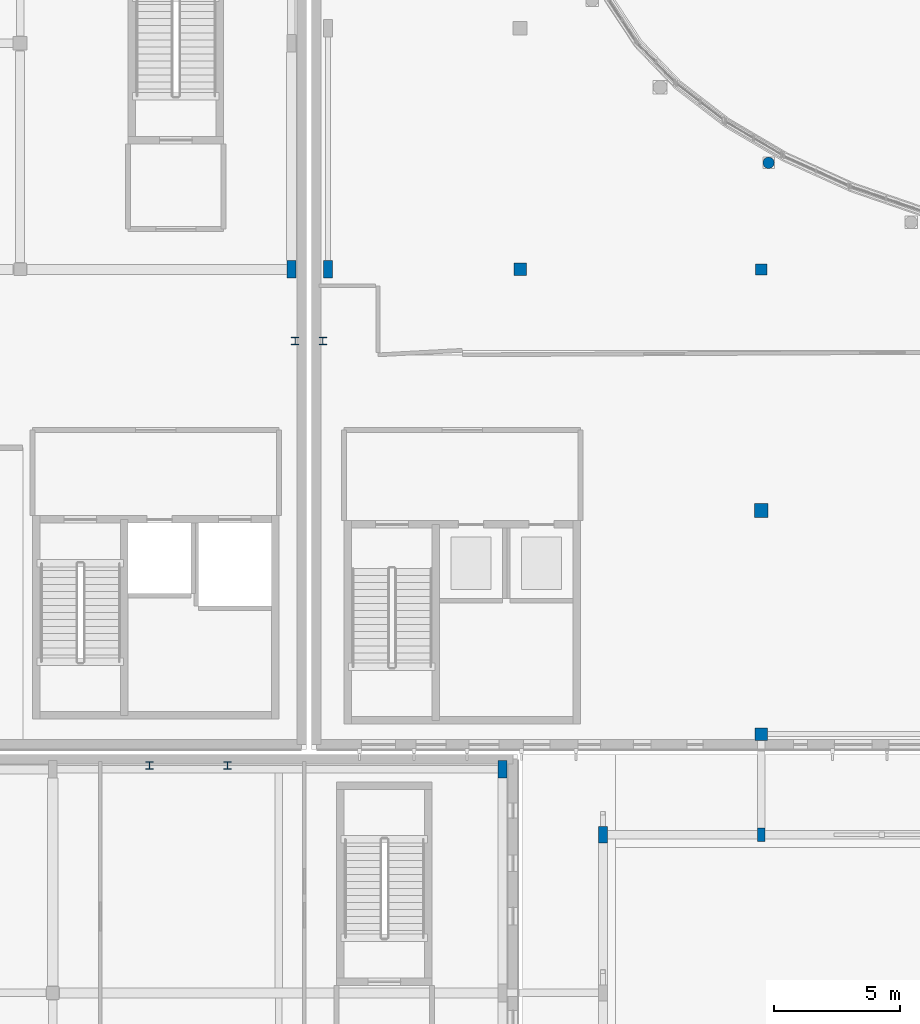
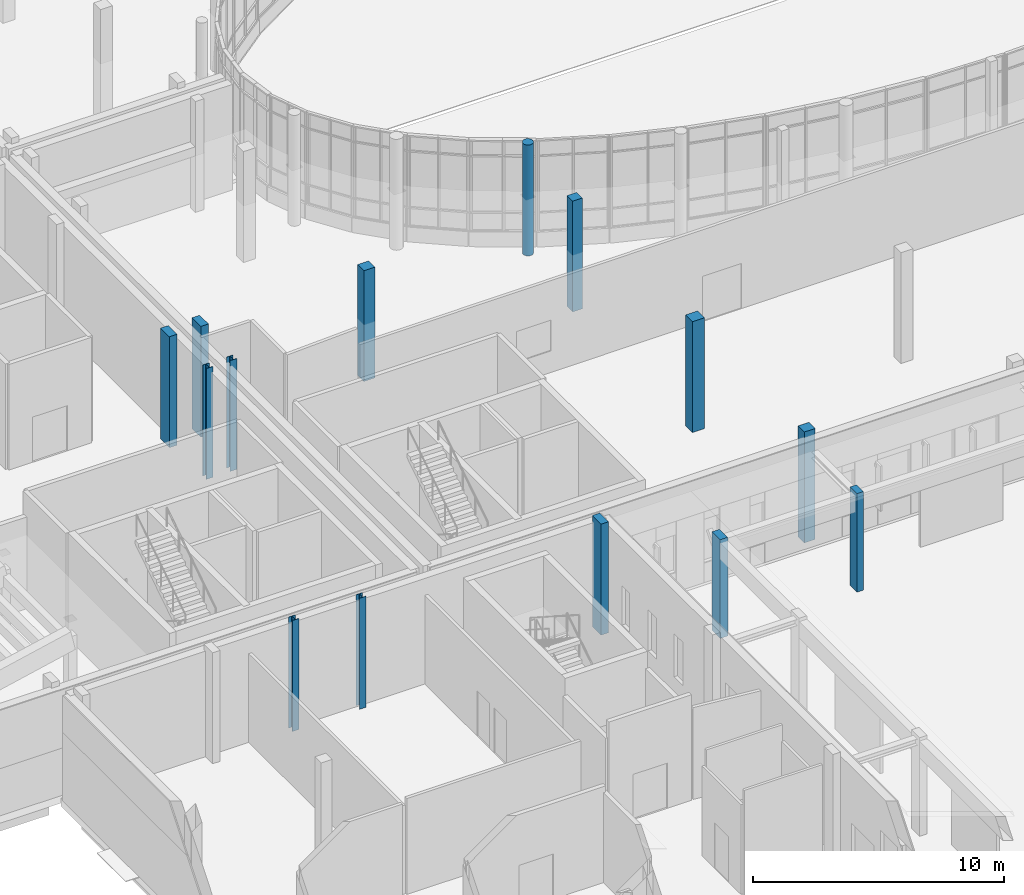
# One storey, part 2 of 84: 14 columns.
"""IFC4 building model written with IfcOpenShell, lengths in metres."""

import ifcopenshell
import ifcopenshell.guid

model = None  # the IFC model being written
_history = None  # IfcOwnerHistory: only IFC2X3 demands one
_inside = {}  # id of a spatial element -> (the spatial element, [elements in it])
_under = {}  # id of a project, library or spatial element -> (it, [spatial elements below it])
_declared = {}  # id of a project -> (the project, [libraries it declares])
_typed = {}  # id of a type object -> (the type object, [elements of that type])
_made_of = {}  # id of a material, layer set ... -> (it, [elements and type objects made of it])


def new_model(schema):
    """Start an empty IFC model of exactly this schema.

    Asked for "IFC4X3", IfcOpenShell would pick the latest addendum, in which some entities
    have other attributes; the version numbers below select the first issue.
    IFC2X3 requires an IfcOwnerHistory on every rooted entity: one is made here for all.
    """
    global model, _history
    if schema == "IFC4X3":
        model = ifcopenshell.file(schema_version=(4, 3, 0, 0))
    else:
        model = ifcopenshell.file(schema=schema)
    _inside.clear()
    _under.clear()
    _declared.clear()
    _typed.clear()
    _made_of.clear()
    _history = None
    if model.schema == "IFC2X3":
        org = make("IfcOrganization", Name="unknown")
        user = make(
            "IfcPersonAndOrganization",
            ThePerson=make("IfcPerson", FamilyName="unknown"),
            TheOrganization=org,
        )
        app = make(
            "IfcApplication",
            ApplicationDeveloper=org,
            Version="unknown",
            ApplicationFullName="unknown",
            ApplicationIdentifier="unknown",
        )
        _history = make(
            "IfcOwnerHistory",
            OwningUser=user,
            OwningApplication=app,
            ChangeAction="ADDED",
            CreationDate=0,
        )
    return model


def make(cls, **values):
    """One entity of the class cls with the attributes given. An attribute that is None is left unset."""
    return model.create_entity(
        cls, **{name: value for name, value in values.items() if value is not None}
    )


def rooted(cls, **values):
    """An entity with a GlobalId (a new one), such as an element, a storey or a relation."""
    return make(cls, GlobalId=ifcopenshell.guid.new(), OwnerHistory=_history, **values)


def si_unit(unit_type, name, prefix=None):
    """IfcSIUnit, for example si_unit("LENGTHUNIT", "METRE", prefix="MILLI")."""
    return make("IfcSIUnit", UnitType=unit_type, Prefix=prefix, Name=name)


def assignment(units):
    """IfcUnitAssignment: the units of a project."""
    return None if units is None else make("IfcUnitAssignment", Units=units)


def point(xyz):
    """IfcCartesianPoint."""
    return None if xyz is None else make("IfcCartesianPoint", Coordinates=xyz)


def direction(xyz):
    """IfcDirection."""
    return None if xyz is None else make("IfcDirection", DirectionRatios=xyz)


def frame(location, z_axis=None, x_axis=None):
    """IfcAxis2Placement3D, a coordinate frame: its origin and axes. An axis left out is left unset."""
    return make(
        "IfcAxis2Placement3D",
        Location=point(location),
        Axis=direction(z_axis),
        RefDirection=direction(x_axis),
    )


def frame_2d(location, x_axis=None):
    """IfcAxis2Placement2D, a coordinate frame in the plane: its origin and x axis."""
    return make(
        "IfcAxis2Placement2D", Location=point(location), RefDirection=direction(x_axis)
    )


def origin():
    """The frame at (0, 0, 0) with its axes left unset."""
    return frame((0.0, 0.0, 0.0))


def origin_2d():
    """The frame at (0, 0) in the plane with its x axis left unset."""
    return frame_2d((0.0, 0.0))


def place(relative_to, where):
    """IfcLocalPlacement: puts the frame where relative to a parent placement (None: the world)."""
    return make(
        "IfcLocalPlacement", PlacementRelTo=relative_to, RelativePlacement=where
    )


def context(
    kind, dimensions, precision=None, world=None, true_north=None, identifier=None
):
    """IfcGeometricRepresentationContext, for example the 3D "Model" context."""
    return make(
        "IfcGeometricRepresentationContext",
        ContextIdentifier=identifier,
        ContextType=kind,
        CoordinateSpaceDimension=dimensions,
        Precision=precision,
        WorldCoordinateSystem=world,
        TrueNorth=true_north,
    )


def subcontext(parent, identifier, kind, view, scale=None):
    """IfcGeometricRepresentationSubContext, for example "Body" below "Model"."""
    return make(
        "IfcGeometricRepresentationSubContext",
        ContextIdentifier=identifier,
        ContextType=kind,
        ParentContext=parent,
        TargetScale=scale,
        TargetView=view,
    )


def project(units=None, contexts=None):
    """IfcProject with its units and contexts."""
    return rooted(
        "IfcProject",
        Name="project",
        RepresentationContexts=contexts,
        UnitsInContext=assignment(units),
    )


def spatial(cls, under=None, at=None, **own):
    """A site, building, storey or space (cls), placed at a placement, below another one or the project."""
    s = rooted(cls, ObjectPlacement=at, **own)
    if under is not None:
        _under.setdefault(under.id(), (under, []))[1].append(s)
    return s


def profile(cls, at=None, kind="AREA", **sizes):
    """A parametric profile (cls). Its sizes go by their IFC names, for example OverallWidth=200.0."""
    return make(cls, ProfileType=kind, Position=at, **sizes)


def rectangle(**sizes):
    """IfcRectangleProfileDef."""
    return profile("IfcRectangleProfileDef", **sizes)


def circle(**sizes):
    """IfcCircleProfileDef."""
    return profile("IfcCircleProfileDef", **sizes)


def i_section(**sizes):
    """IfcIShapeProfileDef."""
    return profile("IfcIShapeProfileDef", **sizes)


def extrude(swept, where, along, depth):
    """IfcExtrudedAreaSolid: the profile swept, set in the frame where, extruded along a direction by depth."""
    return make(
        "IfcExtrudedAreaSolid",
        SweptArea=swept,
        Position=where,
        ExtrudedDirection=direction(along),
        Depth=depth,
    )


def shape(context_of_items, identifier, shape_type, items):
    """IfcShapeRepresentation: the items that make up one representation, for example the "Body"."""
    return make(
        "IfcShapeRepresentation",
        ContextOfItems=context_of_items,
        RepresentationIdentifier=identifier,
        RepresentationType=shape_type,
        Items=items,
    )


def material(Name=None, Category=None):
    """IfcMaterial."""
    return make("IfcMaterial", Name=Name, Category=Category)


def material_profile(
    of_material, cross_section, Name=None, Category=None, Priority=None
):
    """IfcMaterialProfile: a cross section and its material."""
    return make(
        "IfcMaterialProfile",
        Name=Name,
        Material=of_material,
        Profile=cross_section,
        Priority=Priority,
        Category=Category,
    )


def profile_set(profiles, Name=None, composite=None):
    """IfcMaterialProfileSet."""
    return make(
        "IfcMaterialProfileSet",
        Name=Name,
        MaterialProfiles=profiles,
        CompositeProfile=composite,
    )


def made_of(thing, what):
    """Note that an element or type object is made of a material, layer set ...; save() writes the relation."""
    if what is not None:
        _made_of.setdefault(what.id(), (what, []))[1].append(thing)
    return thing


def type_object(cls, material=None, **own):
    """A type object (cls), such as IfcWallType, which elements share."""
    return made_of(rooted(cls, **own), material)


def element(
    cls,
    number,
    at=None,
    inside=None,
    cuts=None,
    type_object=None,
    material=None,
    context=None,
    identifier="Body",
    shape_type=None,
    held_by="IfcProductDefinitionShape",
    body=None,
    shapes=None,
    **own,
):
    """One element of the class cls, such as IfcWall. Its Tag is "e" and its number.

    at: its placement. inside: the storey or other place that contains it. cuts: it is an
    opening in that element (IfcRelVoidsElement). A single representation is given by context,
    identifier, shape_type and body (its items); several are given by shapes. held_by: the class
    of the entity that holds the representations. save() writes the other relations.
    """
    e = rooted(cls, Tag="e%d" % number, ObjectPlacement=at, **own)
    if body is not None:
        shapes = [shape(context, identifier, shape_type, body)]
    if shapes is not None:
        e.Representation = make(held_by, Representations=shapes)
    if inside is not None:
        _inside.setdefault(inside.id(), (inside, []))[1].append(e)
    if cuts is not None:
        rooted(
            "IfcRelVoidsElement", RelatingBuildingElement=cuts, RelatedOpeningElement=e
        )
    if type_object is not None:
        _typed.setdefault(type_object.id(), (type_object, []))[1].append(e)
    return made_of(e, material)


def aggregate(whole, parts):
    """IfcRelAggregates: a whole, such as a stair, and the parts it consists of."""
    return rooted("IfcRelAggregates", RelatingObject=whole, RelatedObjects=parts)


def save(model, path):
    """Write the relations noted so far, then the file.

    IfcRelAggregates (storeys below a building ...), IfcRelContainedInSpatialStructure (elements
    in a storey), IfcRelDefinesByType, IfcRelAssociatesMaterial and IfcRelDeclares: one each for
    every whole, place, type object, material and project.
    """
    for whole, parts in _under.values():
        aggregate(whole, parts)
    for where, things in _inside.values():
        rooted(
            "IfcRelContainedInSpatialStructure",
            RelatedElements=things,
            RelatingStructure=where,
        )
    for kind, things in _typed.values():
        rooted("IfcRelDefinesByType", RelatedObjects=things, RelatingType=kind)
    for what, things in _made_of.values():
        rooted("IfcRelAssociatesMaterial", RelatedObjects=things, RelatingMaterial=what)
    for by, libraries in _declared.values():
        rooted("IfcRelDeclares", RelatingContext=by, RelatedDefinitions=libraries)
    model.write(path)


model = new_model("IFC4")

# Units and contexts
model_context = context("Model", 3, precision=1e-05, world=origin(), true_north=direction((0.0, 1.0)))
body_context = subcontext(model_context, "Body", "Model", "MODEL_VIEW")
ifc_project = project(units=[si_unit("LENGTHUNIT", "METRE"), si_unit("AREAUNIT", "SQUARE_METRE"), si_unit("VOLUMEUNIT", "CUBIC_METRE"), si_unit("PLANEANGLEUNIT", "RADIAN"), si_unit("MASSUNIT", "GRAM", prefix="KILO")], contexts=[model_context])

# Site, building, storey
site_placement = place(None, origin())
site = spatial("IfcSite", under=ifc_project, at=site_placement, CompositionType="ELEMENT")
building_placement = place(site_placement, origin())
building = spatial("IfcBuilding", under=site, at=building_placement, Name="Mzevani Central Library", CompositionType="ELEMENT")
storey_placement = place(building_placement, origin())
storey = spatial("IfcBuildingStorey", under=building, at=storey_placement, Name="L00", CompositionType="ELEMENT", Elevation=0.0)

# Columns
ifc_material_1 = material(Name="Steel S355J2", Category="steel")
ifc_material_profile_1 = material_profile(ifc_material_1, i_section(OverallWidth=0.300048828125, OverallDepth=0.300048828125, WebThickness=0.010986328125, FlangeThickness=0.01904296875, FilletRadius=0.027099609375, at=origin_2d()), Name="HEB 300")
ifc_profile_set_1 = profile_set([ifc_material_profile_1], Name="Steel S355J2")
column_type_1 = type_object("IfcColumnType", Name="Atrium Steel Column HEB 300", PredefinedType="COLUMN", material=ifc_profile_set_1)
for number, where, z_axis, x_axis, name in (
    (1, (39.64990234375, 41.85009765625, 0.0), (0.0, 0.0, 1.0), (1.0, 0.0, 0.0), "L00 Seismic Joint Corbel Column 1"),
    (2, (42.75, 41.85009765625, 0.0), (0.0, 0.0, 1.0), (1.0, 0.0, 0.0), "L00 Seismic Joint Corbel Column 2"),
    (3, (45.449951171875, 58.75, 0.0), (0.0, 0.0, 1.0), (1.0, 0.0, 0.0), "L00 Seismic Joint Corbel Column 3"),
    (4, (46.550048828125, 58.75, 0.0), (0.0, 0.0, 1.0), (1.0, 0.0, 0.0), "L00 Seismic Joint Corbel Column 5"),
):
    element("IfcColumn", number, at=place(storey_placement, frame(where, z_axis=z_axis, x_axis=x_axis)), inside=storey, type_object=column_type_1, Name=name, PredefinedType="COLUMN", context=body_context, shape_type="SweptSolid", body=[
        extrude(i_section(OverallWidth=0.300048828125, OverallDepth=0.300048828125, WebThickness=0.010986328125, FlangeThickness=0.01904296875, FilletRadius=0.027099609375, at=origin_2d()), origin(), (0.0, 0.0, 1.0), 5.39990234375),
    ])
ifc_material_2 = material(Name="Precast concrete C40/50", Category="concrete")
ifc_material_profile_2 = material_profile(ifc_material_2, rectangle(XDim=0.300048828125, YDim=0.550048828125, at=origin_2d()), Name="PC PIL 300x550")
ifc_profile_set_2 = profile_set([ifc_material_profile_2], Name="Precast concrete C40/50")
column_type_2 = type_object("IfcColumnType", Name="Colonnade Pilaster 300x550", PredefinedType="PILASTER", material=ifc_profile_set_2)
column_1_placement = place(storey_placement, frame((64.0, 39.10009765625, 0.0), z_axis=(0.0, 0.0, 1.0), x_axis=(1.0, 0.0, 0.0)))
element("IfcColumn", 5, at=column_1_placement, inside=storey, type_object=column_type_2, Name="L00 Mzevani Square Colonnade Pier 11", PredefinedType="PILASTER", context=body_context, shape_type="SweptSolid", body=[
    extrude(rectangle(XDim=0.300048828125, YDim=0.550048828125, at=origin_2d()), origin(), (0.0, 0.0, 1.0), 4.800048828125),
])
ifc_material_profile_3 = material_profile(ifc_material_2, rectangle(XDim=0.35009765625, YDim=0.64990234375, at=origin_2d()), Name="PC PIL 350x650")
ifc_profile_set_3 = profile_set([ifc_material_profile_3], Name="Precast concrete C40/50")
column_type_3 = type_object("IfcColumnType", Name="Colonnade Pilaster 350x650", PredefinedType="PILASTER", material=ifc_profile_set_3)
column_2_placement = place(storey_placement, frame((57.699951171875, 39.10009765625, 0.0), z_axis=(0.0, 0.0, 1.0), x_axis=(1.0, 0.0, 0.0)))
element("IfcColumn", 6, at=column_2_placement, inside=storey, type_object=column_type_3, Name="L00 Mzevani Square Colonnade Pier 05", PredefinedType="PILASTER", context=body_context, shape_type="SweptSolid", body=[
    extrude(rectangle(XDim=0.35009765625, YDim=0.64990234375, at=origin_2d()), origin(), (0.0, 0.0, 1.0), 4.800048828125),
])
ifc_material_3 = material(Name="Concrete C40/50", Category="concrete")
ifc_material_profile_4 = material_profile(ifc_material_3, rectangle(XDim=0.449951171875, YDim=0.449951171875, at=origin_2d()), Name="RC 450x450")
ifc_profile_set_4 = profile_set([ifc_material_profile_4], Name="Concrete C40/50")
column_type_4 = type_object("IfcColumnType", Name="Column RC 450x450", PredefinedType="COLUMN", material=ifc_profile_set_4)
column_3_placement = place(storey_placement, frame((64.0, 61.60009765625, 0.0), z_axis=(0.0, 0.0, 1.0), x_axis=(1.0, 0.0, 0.0)))
element("IfcColumn", 7, at=column_3_placement, inside=storey, type_object=column_type_4, Name="L00 V1 Column C-03 (9)", PredefinedType="COLUMN", context=body_context, shape_type="SweptSolid", body=[
    extrude(rectangle(XDim=0.449951171875, YDim=0.449951171875, at=origin_2d()), origin(), (0.0, 0.0, 1.0), 5.39990234375),
])
ifc_material_profile_5 = material_profile(ifc_material_3, rectangle(XDim=0.5, YDim=0.5, at=origin_2d()), Name="RC 500x500")
ifc_profile_set_5 = profile_set([ifc_material_profile_5], Name="Concrete C40/50")
column_type_5 = type_object("IfcColumnType", Name="Column RC 500x500", PredefinedType="COLUMN", material=ifc_profile_set_5)
for number, where, z_axis, x_axis, name in (
    (8, (54.39990234375, 61.60009765625, 0.0), (0.0, 0.0, 1.0), (1.0, 0.0, 0.0), "L00 V1 Column C-04 (4)"),
    (9, (64.0, 43.10009765625, 0.0), (0.0, 0.0, 1.0), (1.0, 0.0, 0.0), "L00 V1 Column C-04 (7)"),
):
    element("IfcColumn", number, at=place(storey_placement, frame(where, z_axis=z_axis, x_axis=x_axis)), inside=storey, type_object=column_type_5, Name=name, PredefinedType="COLUMN", context=body_context, shape_type="SweptSolid", body=[
        extrude(rectangle(XDim=0.5, YDim=0.5, at=origin_2d()), origin(), (0.0, 0.0, 1.0), 5.39990234375),
    ])
ifc_material_profile_6 = material_profile(ifc_material_3, rectangle(XDim=0.550048828125, YDim=0.550048828125, at=origin_2d()), Name="RC 550x550")
ifc_profile_set_6 = profile_set([ifc_material_profile_6], Name="Concrete C40/50")
column_type_6 = type_object("IfcColumnType", Name="Column RC 550x550", PredefinedType="COLUMN", material=ifc_profile_set_6)
column_4_placement = place(storey_placement, frame((64.0, 52.0, 0.0), z_axis=(0.0, 0.0, 1.0), x_axis=(1.0, 0.0, 0.0)))
element("IfcColumn", 10, at=column_4_placement, inside=storey, type_object=column_type_6, Name="L00 V1 Column C-05 (8)", PredefinedType="COLUMN", context=body_context, shape_type="SweptSolid", body=[
    extrude(rectangle(XDim=0.550048828125, YDim=0.550048828125, at=origin_2d()), origin(), (0.0, 0.0, 1.0), 5.39990234375),
])
ifc_material_profile_7 = material_profile(ifc_material_3, circle(Radius=0.22509765625, at=origin_2d()), Name="RC D450")
ifc_profile_set_7 = profile_set([ifc_material_profile_7], Name="Concrete C40/50")
column_type_7 = type_object("IfcColumnType", Name="Court Column RC D450", PredefinedType="COLUMN", material=ifc_profile_set_7)
column_5_placement = place(storey_placement, frame((64.2939453125, 65.843994140625, 0.0), z_axis=(0.0, 0.0, 1.0), x_axis=(1.0, 0.0, 0.0)))
element("IfcColumn", 11, at=column_5_placement, inside=storey, type_object=column_type_7, Name="L00 V1 Column CC-02 (57)", PredefinedType="COLUMN", context=body_context, shape_type="SweptSolid", body=[
    extrude(circle(Radius=0.22509765625, at=origin_2d()), origin(), (0.0, 0.0, 1.0), 5.39990234375),
])
ifc_material_profile_8 = material_profile(ifc_material_3, rectangle(XDim=0.35009765625, YDim=0.699951171875, at=origin_2d()), Name="RC 350x700")
ifc_profile_set_8 = profile_set([ifc_material_profile_8], Name="Concrete C40/50")
column_type_8 = type_object("IfcColumnType", Name="Joint Twin Column RC 350x700", PredefinedType="COLUMN", material=ifc_profile_set_8)
for number, where, z_axis, x_axis, name in (
    (12, (46.75, 61.60009765625, 0.0), (0.0, 0.0, 1.0), (1.0, 0.0, 0.0), "L00 V1 Column C-18 (1)"),
    (13, (53.699951171875, 41.699951171875, 0.0), (0.0, 0.0, 1.0), (1.0, 0.0, 0.0), "L00 V4 Column C-18 (181)"),
    (14, (45.300048828125, 61.60009765625, 0.0), (0.0, 0.0, 1.0), (1.0, 0.0, 0.0), "L00 V5 Column C-18 (208)"),
):
    element("IfcColumn", number, at=place(storey_placement, frame(where, z_axis=z_axis, x_axis=x_axis)), inside=storey, type_object=column_type_8, Name=name, PredefinedType="COLUMN", context=body_context, shape_type="SweptSolid", body=[
        extrude(rectangle(XDim=0.35009765625, YDim=0.699951171875, at=origin_2d()), origin(), (0.0, 0.0, 1.0), 5.39990234375),
    ])

save(model, "model.ifc")
